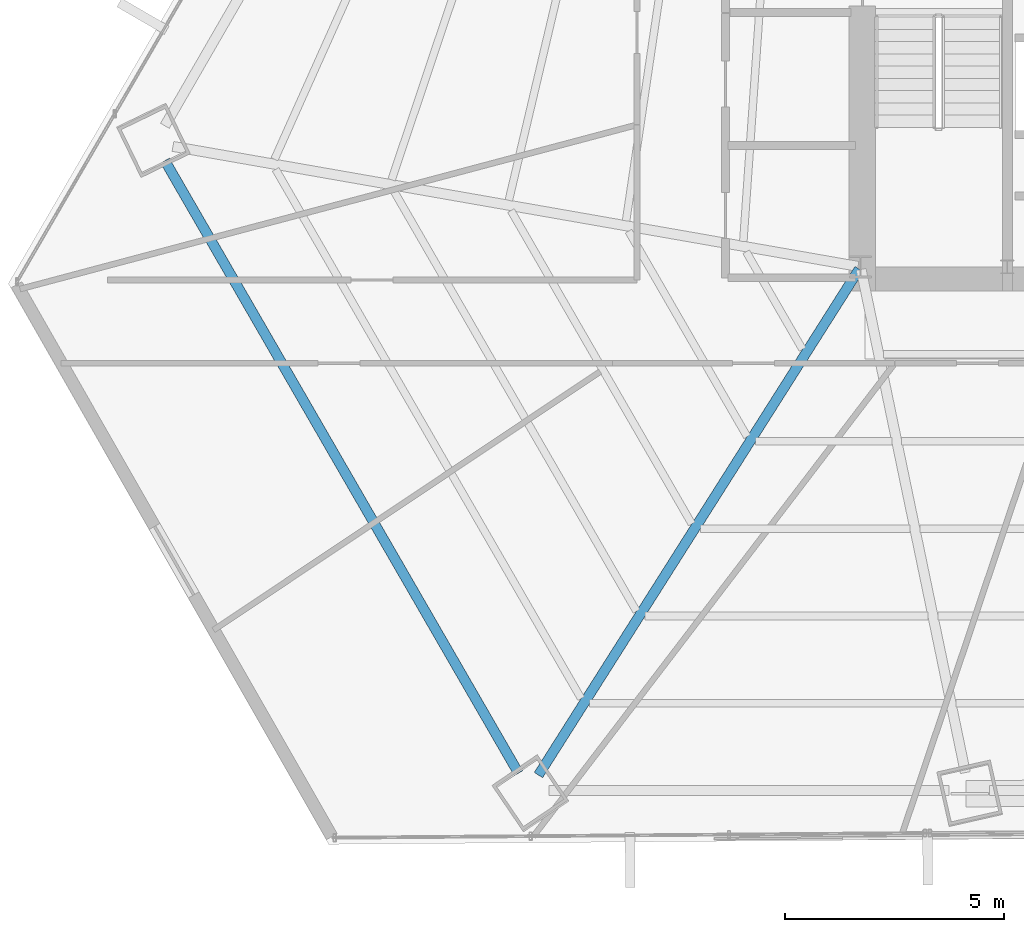
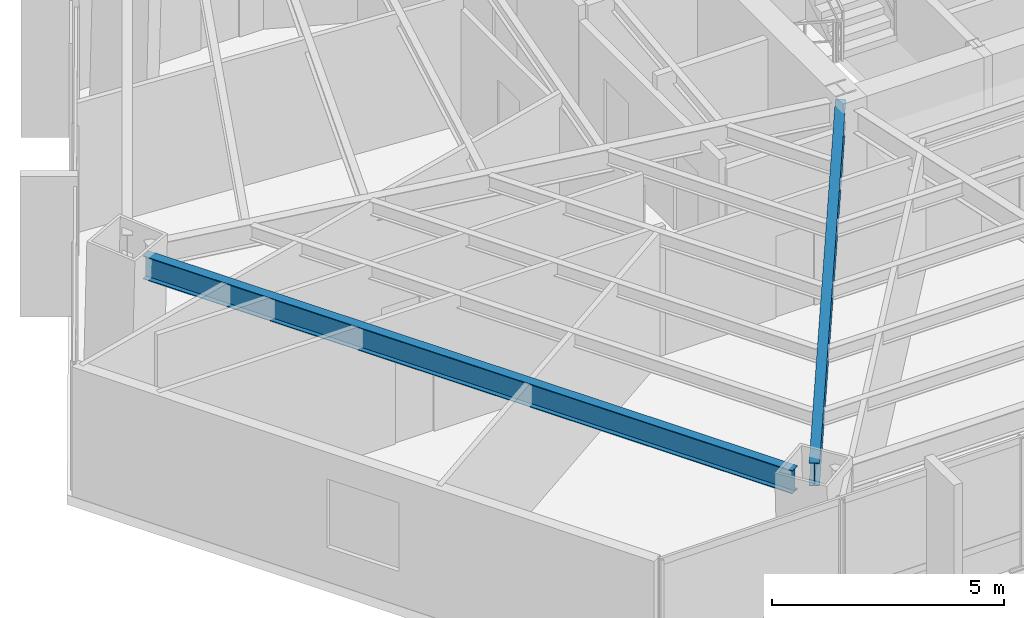
# One storey, part 4 of 34: 2 beams.
"""IFC4 building model written with IfcOpenShell, lengths in metres."""

from ifc_helpers import new_model, si_unit, direction, frame, origin, origin_2d, place, context, subcontext, project, spatial, i_section, extrude, source, transform, mapped, material, material_profile, profile_set, type_object, type_shapes, element, save


model = new_model("IFC4")

# Units and contexts
model_context = context("Model", 3, precision=1e-05, world=origin(), true_north=direction((0.0, 1.0)))
body_context = subcontext(model_context, "Body", "Model", "MODEL_VIEW")
ifc_project = project(units=[si_unit("LENGTHUNIT", "METRE"), si_unit("AREAUNIT", "SQUARE_METRE"), si_unit("VOLUMEUNIT", "CUBIC_METRE"), si_unit("PLANEANGLEUNIT", "RADIAN"), si_unit("MASSUNIT", "GRAM", prefix="KILO")], contexts=[model_context])

# Site, building, storey
site_placement = place(None, origin())
site = spatial("IfcSite", under=ifc_project, at=site_placement, CompositionType="ELEMENT")
building_placement = place(site_placement, origin())
building = spatial("IfcBuilding", under=site, at=building_placement, Name="Caelisora Broadcast Tower", CompositionType="ELEMENT")
storey_placement = place(building_placement, frame((0.0, 0.0, 56.800048828125)))
storey = spatial("IfcBuildingStorey", under=building, at=storey_placement, Name="L14", CompositionType="ELEMENT", Elevation=56.800048828125)

# Beams
ifc_material = material(Name="Steel Grade 350 (AS/NZS 3679.1)", Category="steel")
ifc_material_profile_1 = material_profile(ifc_material, i_section(OverallWidth=0.22900390625, OverallDepth=0.611572265625, WebThickness=0.011962890625, FlangeThickness=0.01953125, at=origin_2d()), Name="Steel Grade 350 (AS/NZS 3679.1)")
ifc_profile_set_1 = profile_set([ifc_material_profile_1], Name="Steel Grade 350 (AS/NZS 3679.1)")
beam_type_1 = type_object("IfcBeamType", Name="PG03", PredefinedType="BEAM", material=ifc_profile_set_1)
shared_shape_1 = source(origin(), body_context, "Body", "SweptSolid", [
    extrude(i_section(OverallWidth=0.22900390625, OverallDepth=0.611572265625, WebThickness=0.011962890625, FlangeThickness=0.01953125, at=origin_2d()), origin(), (0.0, 0.0, 1.0), 16.133544921875),
])
type_shapes(beam_type_1, [shared_shape_1])
beam_1_placement = place(storey_placement, frame((14.62841796875, 19.821044921875, 3.09423828125), z_axis=(0.500009322877, -0.866020021152, 0.0), x_axis=(0.866020021152, 0.500009322877, 0.0)))
element("IfcBeam", 1, at=beam_1_placement, inside=storey, type_object=beam_type_1, Name="L14 beam PG03", PredefinedType="BEAM", context=body_context, shape_type="MappedRepresentation", body=[
    mapped(shared_shape_1, transform((0.0, 0.0, 0.0), scale=1.0)),
])
ifc_material_profile_2 = material_profile(ifc_material, i_section(OverallWidth=0.22802734375, OverallDepth=0.602294921875, WebThickness=0.010498046875, FlangeThickness=0.014892578125, at=origin_2d()), Name="Steel Grade 350 (AS/NZS 3679.1)")
ifc_profile_set_2 = profile_set([ifc_material_profile_2], Name="Steel Grade 350 (AS/NZS 3679.1)")
beam_type_2 = type_object("IfcBeamType", Name="PG04", PredefinedType="BEAM", material=ifc_profile_set_2)
shared_shape_2 = source(origin(), body_context, "Body", "SweptSolid", [
    extrude(i_section(OverallWidth=0.22802734375, OverallDepth=0.602294921875, WebThickness=0.010498046875, FlangeThickness=0.014892578125, at=origin_2d()), origin(), (0.0, 0.0, 1.0), 13.66796875),
])
type_shapes(beam_type_2, [shared_shape_2])
beam_2_placement = place(storey_placement, frame((30.468017578125, 17.349365234375, 3.098876953125), z_axis=(-0.535402197073, -0.844597233816, 0.0), x_axis=(0.844597233816, -0.535402197073, 0.0)))
element("IfcBeam", 2, at=beam_2_placement, inside=storey, type_object=beam_type_2, Name="L14 beam PG04", PredefinedType="BEAM", context=body_context, shape_type="MappedRepresentation", body=[
    mapped(shared_shape_2, transform((0.0, 0.0, 0.0), scale=1.0)),
])

save(model, "model.ifc")
